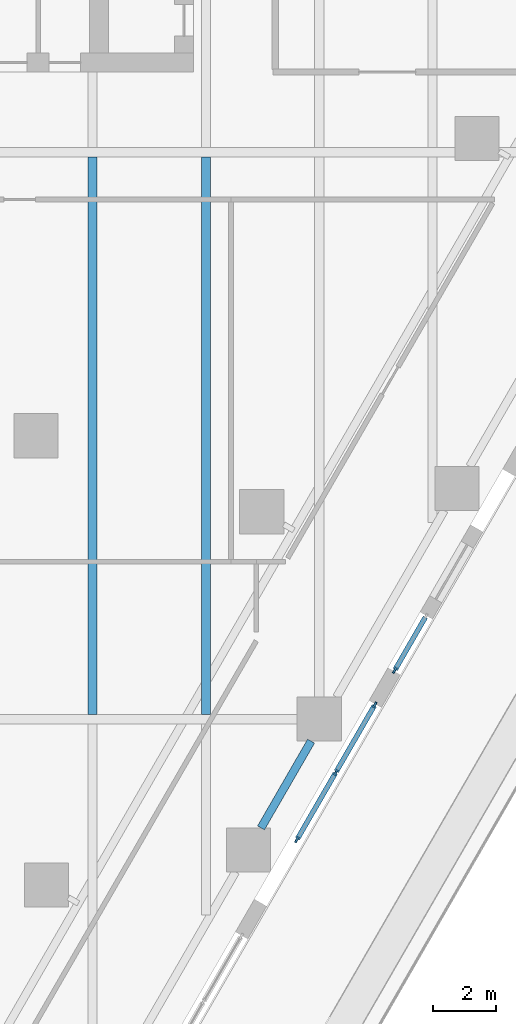
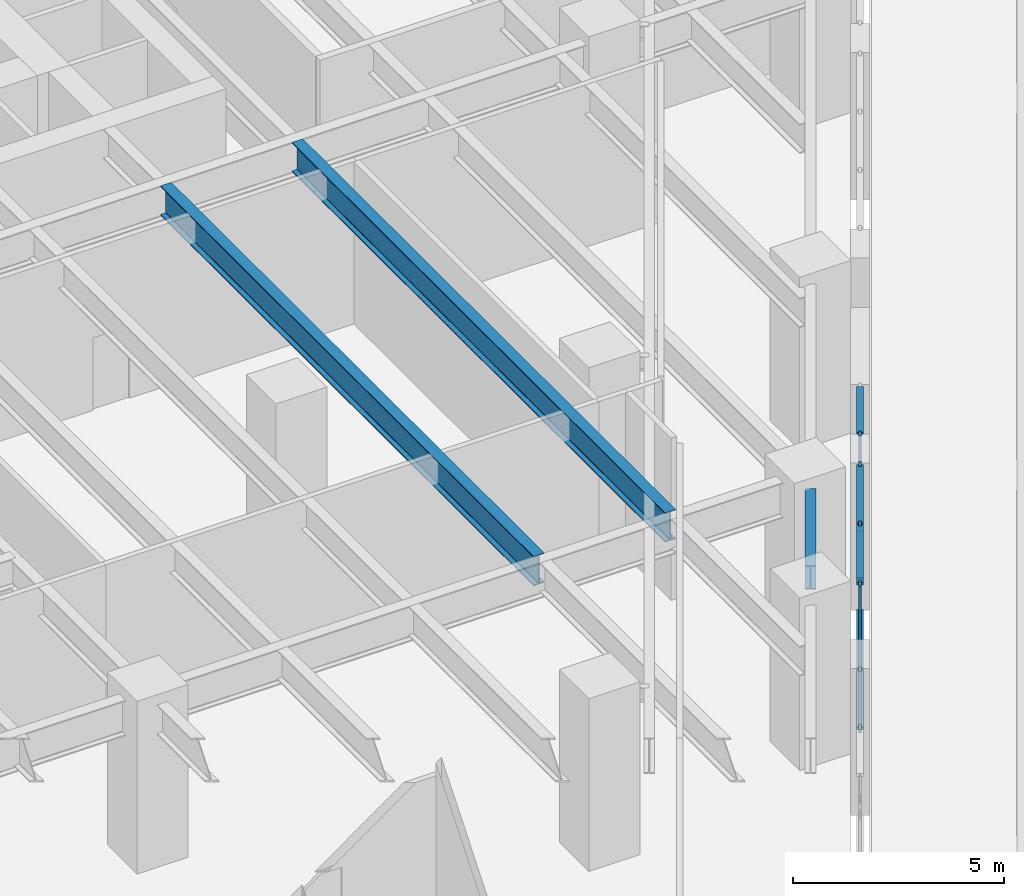
# One storey, part 8 of 31: 10 members, 3 beams, 2 elements without a shape of their own.
"""IFC4 building model written with IfcOpenShell, lengths in metres."""

from ifc_helpers import new_model, si_unit, direction, frame, origin, origin_2d, place, context, subcontext, project, spatial, rectangle, i_section, extrude, material, material_profile, profile_set, type_object, element, aggregate, save


model = new_model("IFC4")

# Units and contexts
model_context = context("Model", 3, precision=1e-05, world=origin(), true_north=direction((0.0, 1.0)))
body_context = subcontext(model_context, "Body", "Model", "MODEL_VIEW")
ifc_project = project(units=[si_unit("LENGTHUNIT", "METRE"), si_unit("AREAUNIT", "SQUARE_METRE"), si_unit("VOLUMEUNIT", "CUBIC_METRE"), si_unit("PLANEANGLEUNIT", "RADIAN"), si_unit("MASSUNIT", "GRAM", prefix="KILO")], contexts=[model_context])

# Site, building, storey
site_placement = place(None, origin())
site = spatial("IfcSite", under=ifc_project, at=site_placement, CompositionType="ELEMENT")
building_placement = place(site_placement, origin())
building = spatial("IfcBuilding", under=site, at=building_placement, Name="Aloe Facet Convention Tower", CompositionType="ELEMENT")
storey_placement = place(building_placement, frame((0.0, 0.0, 25.0)))
storey = spatial("IfcBuildingStorey", under=building, at=storey_placement, Name="L04", CompositionType="ELEMENT", Elevation=25.0)

# Curtain wall, members
ifc_material_1 = material(Name="Aluminium, anodised", Category="aluminium")
curtain_wall_type = type_object("IfcCurtainWallType", Name="EV-CW-HALL", PredefinedType="USERDEFINED", material=ifc_material_1)
curtain_wall_1_placement = place(storey_placement, origin())
curtain_wall_1 = element("IfcCurtainWall", 1, at=curtain_wall_1_placement, inside=storey, type_object=curtain_wall_type, Name="CW-L04-E08", ObjectType="UNITISED HALL GLAZING", PredefinedType="USERDEFINED")
ifc_material_2 = material(Name="Aluminium, anodised", Category="aluminium")
ifc_material_profile_1 = material_profile(ifc_material_2, rectangle(XDim=0.06494140625, YDim=0.199951171875, at=origin_2d()), Name="AL 65x200")
ifc_profile_set_1 = profile_set([ifc_material_profile_1], Name="Aluminium, anodised")
member_type_1 = type_object("IfcMemberType", Name="EV-MULL-HALL", PredefinedType="MULLION", material=ifc_profile_set_1)
member_1_placement = place(storey_placement, frame((97.29296875, 95.1728515625, -0.25), z_axis=(0.0, 0.0, 1.0), x_axis=(-0.866025403811, 0.499999999955, 0.0)))
member_1 = element("IfcMember", 2, at=member_1_placement, type_object=member_type_1, Name="CW-L04-E08 mullion 1", PredefinedType="MULLION", context=body_context, shape_type="SweptSolid", body=[
    extrude(rectangle(XDim=0.06494140625, YDim=0.199951171875, at=origin_2d()), origin(), (0.0, 0.0, 1.0), 4.262451171875),
])
member_2_placement = place(storey_placement, frame((98.52783203125, 97.3115234375, -0.25), z_axis=(0.0, 0.0, 1.0), x_axis=(-0.866025403811, 0.499999999955, 0.0)))
member_2 = element("IfcMember", 3, at=member_2_placement, type_object=member_type_1, Name="CW-L04-E08 mullion 2", PredefinedType="MULLION", context=body_context, shape_type="SweptSolid", body=[
    extrude(rectangle(XDim=0.06494140625, YDim=0.199951171875, at=origin_2d()), origin(), (0.0, 0.0, 1.0), 4.262451171875),
])
member_3_placement = place(storey_placement, frame((99.762451171875, 99.449951171875, -0.25), z_axis=(0.0, 0.0, 1.0), x_axis=(-0.866025403811, 0.499999999955, 0.0)))
member_3 = element("IfcMember", 4, at=member_3_placement, type_object=member_type_1, Name="CW-L04-E08 mullion 3", PredefinedType="MULLION", context=body_context, shape_type="SweptSolid", body=[
    extrude(rectangle(XDim=0.06494140625, YDim=0.199951171875, at=origin_2d()), origin(), (0.0, 0.0, 1.0), 4.262451171875),
])

# Curtain wall, member
curtain_wall_2_placement = place(storey_placement, origin())
curtain_wall_2 = element("IfcCurtainWall", 5, at=curtain_wall_2_placement, inside=storey, type_object=curtain_wall_type, Name="CW-L04-E10A", ObjectType="UNITISED HALL GLAZING", PredefinedType="USERDEFINED")
member_4_placement = place(storey_placement, frame((100.394775390625, 100.54541015625, -0.25), z_axis=(0.0, 0.0, 1.0), x_axis=(-0.866025403645, 0.500000000242, 0.0)))
member_4 = element("IfcMember", 6, at=member_4_placement, type_object=member_type_1, Name="CW-L04-E10A mullion 1", PredefinedType="MULLION", context=body_context, shape_type="SweptSolid", body=[
    extrude(rectangle(XDim=0.06494140625, YDim=0.199951171875, at=origin_2d()), origin(), (0.0, 0.0, 1.0), 4.262451171875),
])

# Member
ifc_material_3 = material(Name="Aluminium, anodised", Category="aluminium")
ifc_material_profile_2 = material_profile(ifc_material_3, rectangle(XDim=0.159912109375, YDim=0.06494140625, at=origin_2d()), Name="AL 160x65")
ifc_profile_set_2 = profile_set([ifc_material_profile_2], Name="Aluminium, anodised")
member_type_2 = type_object("IfcMemberType", Name="EV-TRAN-HALL", PredefinedType="USERDEFINED", material=ifc_profile_set_2)
member_5_placement = place(storey_placement, frame((97.309326171875, 95.201171875, -0.217529296875), z_axis=(0.500027182209, 0.86600970956, 0.0), x_axis=(-0.86600970956, 0.500027182209, 0.0)))
member_5 = element("IfcMember", 7, at=member_5_placement, type_object=member_type_2, Name="CW-L04-E08 transom 1.1", ObjectType="TRANSOM", PredefinedType="USERDEFINED", context=body_context, shape_type="SweptSolid", body=[
    extrude(rectangle(XDim=0.159912109375, YDim=0.06494140625, at=origin_2d()), origin(), (0.0, 0.0, 1.0), 2.404052734375),
])

member_6_placement = place(storey_placement, frame((97.309326171875, 95.201171875, 3.97998046875), z_axis=(0.500027182209, 0.86600970956, 0.0), x_axis=(-0.86600970956, 0.500027182209, 0.0)))
member_6 = element("IfcMember", 8, at=member_6_placement, type_object=member_type_2, Name="CW-L04-E08 transom 1.2", ObjectType="TRANSOM", PredefinedType="USERDEFINED", context=body_context, shape_type="SweptSolid", body=[
    extrude(rectangle(XDim=0.159912109375, YDim=0.06494140625, at=origin_2d()), origin(), (0.0, 0.0, 1.0), 2.404052734375),
])

member_7_placement = place(storey_placement, frame((98.5439453125, 97.339599609375, -0.217529296875), z_axis=(0.499983211839, 0.866035096217, 0.0), x_axis=(-0.866035096217, 0.499983211839, 0.0)))
member_7 = element("IfcMember", 9, at=member_7_placement, type_object=member_type_2, Name="CW-L04-E08 transom 2.1", ObjectType="TRANSOM", PredefinedType="USERDEFINED", context=body_context, shape_type="SweptSolid", body=[
    extrude(rectangle(XDim=0.159912109375, YDim=0.06494140625, at=origin_2d()), origin(), (0.0, 0.0, 1.0), 2.404296875),
])

member_8_placement = place(storey_placement, frame((98.5439453125, 97.339599609375, 3.97998046875), z_axis=(0.499983211839, 0.866035096217, 0.0), x_axis=(-0.866035096217, 0.499983211839, 0.0)))
member_8 = element("IfcMember", 10, at=member_8_placement, type_object=member_type_2, Name="CW-L04-E08 transom 2.2", ObjectType="TRANSOM", PredefinedType="USERDEFINED", context=body_context, shape_type="SweptSolid", body=[
    extrude(rectangle(XDim=0.159912109375, YDim=0.06494140625, at=origin_2d()), origin(), (0.0, 0.0, 1.0), 2.404296875),
])

aggregate(curtain_wall_1, [member_1, member_2, member_3, member_5, member_6, member_7, member_8])

member_9_placement = place(storey_placement, frame((100.4111328125, 100.57373046875, -0.217529296875), z_axis=(0.500050118023, 0.865996466197, 0.0), x_axis=(-0.865996466197, 0.500050118023, 0.0)))
member_9 = element("IfcMember", 11, at=member_9_placement, type_object=member_type_2, Name="CW-L04-E10A transom 1.1", ObjectType="TRANSOM", PredefinedType="USERDEFINED", context=body_context, shape_type="SweptSolid", body=[
    extrude(rectangle(XDim=0.159912109375, YDim=0.06494140625, at=origin_2d()), origin(), (0.0, 0.0, 1.0), 1.913330078125),
])

member_10_placement = place(storey_placement, frame((100.4111328125, 100.57373046875, 3.97998046875), z_axis=(0.500050118023, 0.865996466197, 0.0), x_axis=(-0.865996466197, 0.500050118023, 0.0)))
member_10 = element("IfcMember", 12, at=member_10_placement, type_object=member_type_2, Name="CW-L04-E10A transom 1.2", ObjectType="TRANSOM", PredefinedType="USERDEFINED", context=body_context, shape_type="SweptSolid", body=[
    extrude(rectangle(XDim=0.159912109375, YDim=0.06494140625, at=origin_2d()), origin(), (0.0, 0.0, 1.0), 1.913330078125),
])

aggregate(curtain_wall_2, [member_4, member_9, member_10])

# Beams
ifc_material_4 = material(Name="Steel S355", Category="steel")
ifc_material_profile_3 = material_profile(ifc_material_4, i_section(OverallWidth=0.25439453125, OverallDepth=0.6875, WebThickness=0.01318359375, FlangeThickness=0.02099609375, FilletRadius=0.01513671875, at=origin_2d()), Name="UB 686x254x152")
ifc_profile_set_3 = profile_set([ifc_material_profile_3], Name="Steel S355")
beam_type_1 = type_object("IfcBeamType", Name="SF-B-UB686x254x152", PredefinedType="BEAM", material=ifc_profile_set_3)
beam_placement = place(storey_placement, frame((97.74169921875, 98.300048828125, 4.356201171875), z_axis=(-0.499977104415, -0.866038622153, 0.0), x_axis=(0.866038622153, -0.499977104415, 0.0)))
element("IfcBeam", 13, at=beam_placement, inside=storey, type_object=beam_type_1, Name="Floor beam FB-L05-014", PredefinedType="BEAM", context=body_context, shape_type="SweptSolid", body=[
    extrude(i_section(OverallWidth=0.25439453125, OverallDepth=0.6875, WebThickness=0.01318359375, FlangeThickness=0.02099609375, FilletRadius=0.01513671875, at=origin_2d()), origin(), (0.0, 0.0, 1.0), 3.181396484375),
])
ifc_material_5 = material(Name="Steel S355", Category="steel")
ifc_material_profile_4 = material_profile(ifc_material_5, i_section(OverallWidth=0.293701171875, OverallDepth=0.850830078125, WebThickness=0.01611328125, FlangeThickness=0.02685546875, FilletRadius=0.017822265625, at=origin_2d()), Name="UB 838x292x226")
ifc_profile_set_4 = profile_set([ifc_material_profile_4], Name="Steel S355")
beam_type_2 = type_object("IfcBeamType", Name="SF-B-UB838x292x226", PredefinedType="BEAM", material=ifc_profile_set_4)
for number, where, z_axis, x_axis, name in (
    (14, (90.800048828125, 99.152587890625, 4.2744140625), (0.0, 1.0, 0.0), (-1.0, 0.0, 0.0), "Floor beam FB-L05-068"),
    (15, (94.39990234375, 99.152587890625, 4.2744140625), (0.0, 1.0, 0.0), (-1.0, 0.0, 0.0), "Floor beam FB-L05-071"),
):
    element("IfcBeam", number, at=place(storey_placement, frame(where, z_axis=z_axis, x_axis=x_axis)), inside=storey, type_object=beam_type_2, Name=name, PredefinedType="BEAM", context=body_context, shape_type="SweptSolid", body=[
        extrude(i_section(OverallWidth=0.293701171875, OverallDepth=0.850830078125, WebThickness=0.01611328125, FlangeThickness=0.02685546875, FilletRadius=0.017822265625, at=origin_2d()), origin(), (0.0, 0.0, 1.0), 17.69482421875),
    ])

save(model, "model.ifc")
